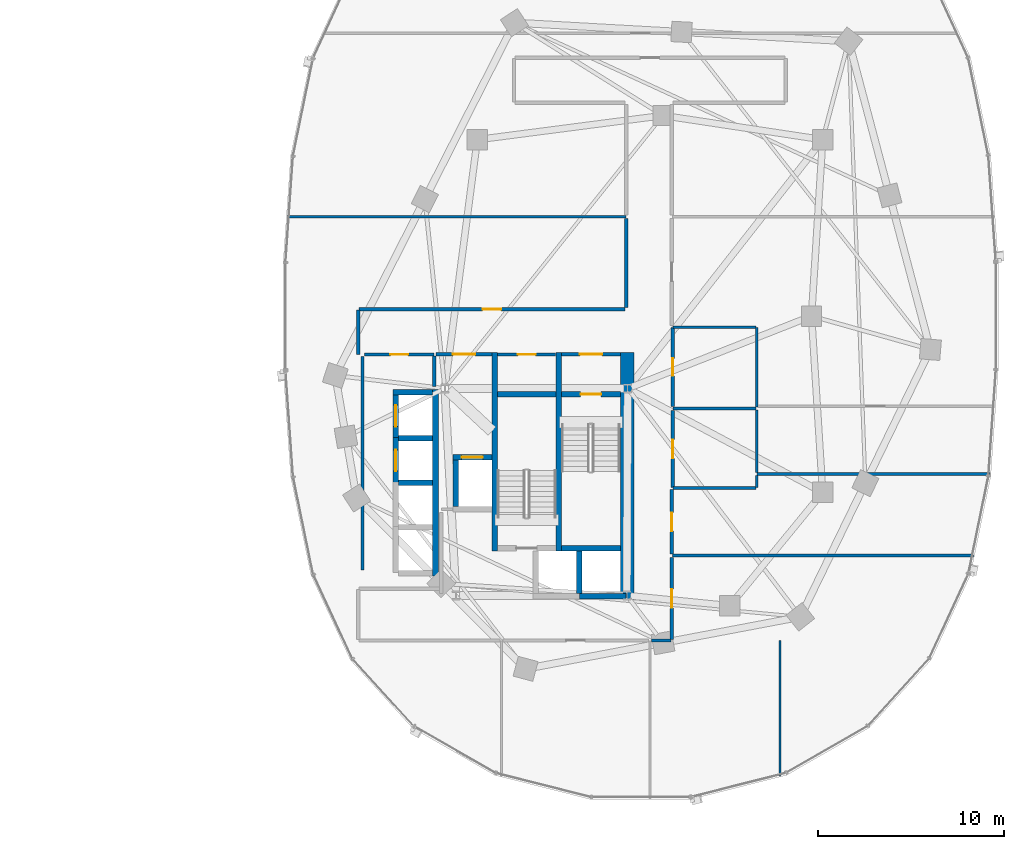
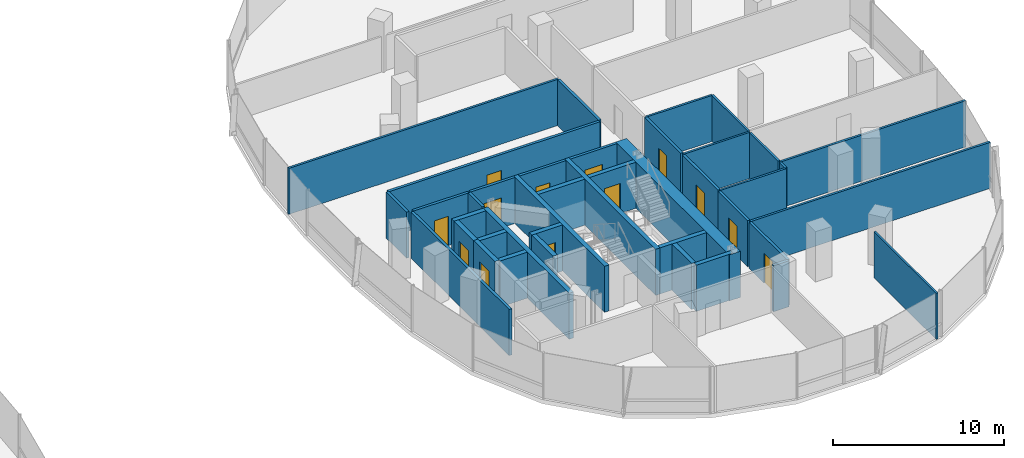
# One storey, part 13 of 21: 40 walls, 13 doors, 13 openings.
"""IFC4 building model written with IfcOpenShell, lengths in metres."""

from ifc_helpers import new_model, si_unit, direction, frame, frame_2d, origin, place, context, subcontext, project, spatial, rectangle, extrude, material, layer, layer_set, type_object, element, fill, save


model = new_model("IFC4")

# Units and contexts
model_context = context("Model", 3, precision=1e-05, world=origin(), true_north=direction((0.0, 1.0)))
body_context = subcontext(model_context, "Body", "Model", "MODEL_VIEW")
ifc_project = project(units=[si_unit("LENGTHUNIT", "METRE"), si_unit("AREAUNIT", "SQUARE_METRE"), si_unit("VOLUMEUNIT", "CUBIC_METRE"), si_unit("PLANEANGLEUNIT", "RADIAN"), si_unit("MASSUNIT", "GRAM", prefix="KILO"), si_unit("THERMODYNAMICTEMPERATUREUNIT", "KELVIN"), si_unit("POWERUNIT", "WATT")], contexts=[model_context])

# Site, building, storey
site_placement = place(None, origin())
site = spatial("IfcSite", under=ifc_project, at=site_placement, CompositionType="ELEMENT")
building_placement = place(site_placement, origin())
building = spatial("IfcBuilding", under=site, at=building_placement, Name="Cundina Bronze Exchange", CompositionType="ELEMENT")
storey_placement = place(building_placement, frame((0.0, 0.0, 117.800048828125)))
storey = spatial("IfcBuildingStorey", under=building, at=storey_placement, Name="L30", CompositionType="ELEMENT", Elevation=117.800048828125)

# Wall
ifc_material_1 = material(Name="Gypsum Fireboard Partition EI120")
ifc_layer_1 = layer(ifc_material_1, 0.179931640625, Name="Gypsum Fireboard Partition EI120")
ifc_layer_set_1 = layer_set([ifc_layer_1], Name="Gypsum Fireboard Partition EI120")
wall_type_1 = type_object("IfcWallType", Name="WL-COR-180", PredefinedType="PARTITIONING", material=ifc_layer_set_1)
wall_1_placement = place(storey_placement, frame((20.889892578125, -3.800048828125, 0.0), z_axis=(0.0, 0.0, 1.0), x_axis=(0.0, 1.0, 0.0)))
element("IfcWall", 1, at=wall_1_placement, inside=storey, type_object=wall_type_1, Name="L30 E Firefighting Lobby Side Wall", PredefinedType="PARTITIONING", context=body_context, shape_type="SweptSolid", body=[
    extrude(rectangle(XDim=1.650146484375, YDim=0.179931640625, at=frame_2d((0.8251953125, 0.0))), origin(), (0.0, 0.0, 1.0), 3.300048828125),
])

# Wall, opening, door
wall_2_placement = place(storey_placement, frame((20.97998046875, -2.06005859375, 0.0), z_axis=(0.0, 0.0, 1.0), x_axis=(1.0, 0.0, 0.0)))
wall_2 = element("IfcWall", 2, at=wall_2_placement, inside=storey, type_object=wall_type_1, Name="L30 E Firefighting Lobby Exit Wall", PredefinedType="PARTITIONING", context=body_context, shape_type="SweptSolid", body=[
    extrude(rectangle(XDim=3.0, YDim=0.179931640625, at=frame_2d((1.5, 0.0))), origin(), (0.0, 0.0, 1.0), 3.300048828125),
])
opening_1_placement = place(wall_2_placement, frame((0.89990234375, 0.0, 0.0)))
opening_1 = element("IfcOpeningElement", 3, at=opening_1_placement, cuts=wall_2, Name="Opening DF-01", PredefinedType="OPENING", context=body_context, shape_type="SweptSolid", body=[
    extrude(rectangle(XDim=1.199951171875, YDim=2.14990234375, at=frame_2d((0.60009765625, 1.074951171875))), frame((0.0, 0.099853515625, 0.0), z_axis=(0.0, -1.0, 0.0), x_axis=(1.0, 0.0, 0.0)), (0.0, 0.0, 1.0), 0.199951171875),
])
ifc_material_2 = material(Name="Steel ASTM A36 Painted", Category="steel")
door_type_1 = type_object("IfcDoorType", Name="DR-FFL-1200", OperationType="NOTDEFINED", PredefinedType="DOOR", material=ifc_material_2)
door_1_placement = place(opening_1_placement, origin())
door_1 = element("IfcDoor", 4, at=door_1_placement, inside=storey, type_object=door_type_1, Name="L30 E Firefighting Lobby Door", OperationType="SINGLE_SWING_LEFT", OverallHeight=2.14990234375, OverallWidth=1.199951171875, PredefinedType="DOOR", context=body_context, shape_type="SweptSolid", body=[
    extrude(rectangle(XDim=1.199951171875, YDim=2.14990234375, at=frame_2d((0.60009765625, 1.074951171875))), frame((0.0, 0.02490234375, 0.0), z_axis=(0.0, -1.0, 0.0), x_axis=(1.0, 0.0, 0.0)), (0.0, 0.0, 1.0), 0.050048828125),
])
fill(opening_1, door_1)

wall_3_placement = place(storey_placement, frame((27.739990234375, -2.06005859375, 0.0), z_axis=(0.0, 0.0, 1.0), x_axis=(1.0, 0.0, 0.0)))
wall_3 = element("IfcWall", 5, at=wall_3_placement, inside=storey, type_object=wall_type_1, Name="L30 E Stair Vestibule Exit Wall", PredefinedType="PARTITIONING", context=body_context, shape_type="SweptSolid", body=[
    extrude(rectangle(XDim=3.159912109375, YDim=0.179931640625, at=frame_2d((1.580078125, 0.0))), origin(), (0.0, 0.0, 1.0), 3.300048828125),
])
opening_2_placement = place(wall_3_placement, frame((0.97998046875, 0.0, 0.0)))
opening_2 = element("IfcOpeningElement", 6, at=opening_2_placement, cuts=wall_3, Name="Opening DF-01", PredefinedType="OPENING", context=body_context, shape_type="SweptSolid", body=[
    extrude(rectangle(XDim=1.199951171875, YDim=2.14990234375, at=frame_2d((0.60009765625, 1.074951171875))), frame((0.0, 0.099853515625, 0.0), z_axis=(0.0, -1.0, 0.0), x_axis=(1.0, 0.0, 0.0)), (0.0, 0.0, 1.0), 0.199951171875),
])
door_2_placement = place(opening_2_placement, origin())
door_2 = element("IfcDoor", 7, at=door_2_placement, inside=storey, type_object=door_type_1, Name="L30 E Stair Vestibule Door", OperationType="SINGLE_SWING_RIGHT", OverallHeight=2.14990234375, OverallWidth=1.199951171875, PredefinedType="DOOR", context=body_context, shape_type="SweptSolid", body=[
    extrude(rectangle(XDim=1.199951171875, YDim=2.14990234375, at=frame_2d((0.60009765625, 1.074951171875))), frame((0.0, 0.02490234375, 0.0), z_axis=(0.0, -1.0, 0.0), x_axis=(1.0, 0.0, 0.0)), (0.0, 0.0, 1.0), 0.050048828125),
])
fill(opening_2, door_2)

# Wall
wall_4_placement = place(storey_placement, frame((17.02001953125, -13.679931640625, 0.0), z_axis=(0.0, 0.0, 1.0), x_axis=(0.0, 1.0, 0.0)))
element("IfcWall", 8, at=wall_4_placement, inside=storey, type_object=wall_type_1, Name="L30 Interior Partition 040", PredefinedType="PARTITIONING", context=body_context, shape_type="SweptSolid", body=[
    extrude(rectangle(XDim=11.510009765625, YDim=0.179931640625, at=frame_2d((5.7548828125, 0.0))), origin(), (0.0, 0.0, 1.0), 3.300048828125),
])

# Wall, opening, door
wall_5_placement = place(storey_placement, frame((17.1201171875, -2.070068359375, 0.0), z_axis=(0.0, 0.0, 1.0), x_axis=(1.0, 0.0, 0.0)))
wall_5 = element("IfcWall", 9, at=wall_5_placement, inside=storey, type_object=wall_type_1, Name="L30 Interior Partition 041", PredefinedType="PARTITIONING", context=body_context, shape_type="SweptSolid", body=[
    extrude(rectangle(XDim=3.75, YDim=0.179931640625, at=frame_2d((1.875, 0.0))), origin(), (0.0, 0.0, 1.0), 3.300048828125),
])
opening_3_placement = place(wall_5_placement, frame((1.39990234375, 0.0, 0.0)))
opening_3 = element("IfcOpeningElement", 10, at=opening_3_placement, cuts=wall_5, Name="Opening DW-01", PredefinedType="OPENING", context=body_context, shape_type="SweptSolid", body=[
    extrude(rectangle(XDim=0.949951171875, YDim=2.10009765625, at=frame_2d((0.47509765625, 1.050048828125))), frame((0.0, 0.099853515625, 0.0), z_axis=(0.0, -1.0, 0.0), x_axis=(1.0, 0.0, 0.0)), (0.0, 0.0, 1.0), 0.199951171875),
])
ifc_material_3 = material(Name="Solid Andean Oak Timber Grade A", Category="wood")
door_type_2 = type_object("IfcDoorType", Name="DR-WC-950", OperationType="NOTDEFINED", PredefinedType="DOOR", material=ifc_material_3)
door_3_placement = place(opening_3_placement, origin())
door_3 = element("IfcDoor", 11, at=door_3_placement, inside=storey, type_object=door_type_2, Name="L30 Interior Door 041", OperationType="SINGLE_SWING_LEFT", OverallHeight=2.10009765625, OverallWidth=0.949951171875, PredefinedType="DOOR", context=body_context, shape_type="SweptSolid", body=[
    extrude(rectangle(XDim=0.949951171875, YDim=2.10009765625, at=frame_2d((0.47509765625, 1.050048828125))), frame((0.0, 0.02490234375, 0.0), z_axis=(0.0, -1.0, 0.0), x_axis=(1.0, 0.0, 0.0)), (0.0, 0.0, 1.0), 0.050048828125),
])
fill(opening_3, door_3)

wall_6_placement = place(storey_placement, frame((24.300048828125, -2.070068359375, 0.0), z_axis=(0.0, 0.0, 1.0), x_axis=(1.0, 0.0, 0.0)))
wall_6 = element("IfcWall", 12, at=wall_6_placement, inside=storey, type_object=wall_type_1, Name="L30 Interior Partition 044", PredefinedType="PARTITIONING", context=body_context, shape_type="SweptSolid", body=[
    extrude(rectangle(XDim=3.119873046875, YDim=0.179931640625, at=frame_2d((1.56005859375, 0.0))), origin(), (0.0, 0.0, 1.0), 3.300048828125),
])
opening_4_placement = place(wall_6_placement, frame((1.0849609375, 0.0, 0.0)))
opening_4 = element("IfcOpeningElement", 13, at=opening_4_placement, cuts=wall_6, Name="Opening DW-01", PredefinedType="OPENING", context=body_context, shape_type="SweptSolid", body=[
    extrude(rectangle(XDim=0.949951171875, YDim=2.10009765625, at=frame_2d((0.47509765625, 1.050048828125))), frame((0.0, 0.099853515625, 0.0), z_axis=(0.0, -1.0, 0.0), x_axis=(1.0, 0.0, 0.0)), (0.0, 0.0, 1.0), 0.199951171875),
])
door_4_placement = place(opening_4_placement, origin())
door_4 = element("IfcDoor", 14, at=door_4_placement, inside=storey, type_object=door_type_2, Name="L30 Interior Door 044", OperationType="SINGLE_SWING_RIGHT", OverallHeight=2.10009765625, OverallWidth=0.949951171875, PredefinedType="DOOR", context=body_context, shape_type="SweptSolid", body=[
    extrude(rectangle(XDim=0.949951171875, YDim=2.10009765625, at=frame_2d((0.47509765625, 1.050048828125))), frame((0.0, 0.02490234375, 0.0), z_axis=(0.0, -1.0, 0.0), x_axis=(1.0, 0.0, 0.0)), (0.0, 0.0, 1.0), 0.050048828125),
])
fill(opening_4, door_4)

wall_7_placement = place(storey_placement, frame((33.719970703125, -4.8798828125, 0.0), z_axis=(0.0, 0.0, 1.0), x_axis=(0.0, 1.0, 0.0)))
wall_7 = element("IfcWall", 15, at=wall_7_placement, inside=storey, type_object=wall_type_1, Name="L30 Interior Partition 051", PredefinedType="PARTITIONING", context=body_context, shape_type="SweptSolid", body=[
    extrude(rectangle(XDim=4.259765625, YDim=0.179931640625, at=frame_2d((2.1298828125, 0.0))), origin(), (0.0, 0.0, 1.0), 3.300048828125),
])
opening_5_placement = place(wall_7_placement, frame((1.655029296875, 0.0, 0.0)))
opening_5 = element("IfcOpeningElement", 16, at=opening_5_placement, cuts=wall_7, Name="Opening DW-01", PredefinedType="OPENING", context=body_context, shape_type="SweptSolid", body=[
    extrude(rectangle(XDim=0.949951171875, YDim=2.10009765625, at=frame_2d((0.47509765625, 1.050048828125))), frame((0.0, 0.099853515625, 0.0), z_axis=(0.0, -1.0, 0.0), x_axis=(1.0, 0.0, 0.0)), (0.0, 0.0, 1.0), 0.199951171875),
])
door_5_placement = place(opening_5_placement, origin())
door_5 = element("IfcDoor", 17, at=door_5_placement, inside=storey, type_object=door_type_2, Name="L30 Interior Door 051", OperationType="SINGLE_SWING_LEFT", OverallHeight=2.10009765625, OverallWidth=0.949951171875, PredefinedType="DOOR", context=body_context, shape_type="SweptSolid", body=[
    extrude(rectangle(XDim=0.949951171875, YDim=2.10009765625, at=frame_2d((0.47509765625, 1.050048828125))), frame((0.0, 0.02490234375, 0.0), z_axis=(0.0, -1.0, 0.0), x_axis=(1.0, 0.0, 0.0)), (0.0, 0.0, 1.0), 0.050048828125),
])
fill(opening_5, door_5)

wall_8_placement = place(storey_placement, frame((33.719970703125, -9.239990234375, 0.0), z_axis=(0.0, 0.0, 1.0), x_axis=(0.0, 1.0, 0.0)))
wall_8 = element("IfcWall", 18, at=wall_8_placement, inside=storey, type_object=wall_type_1, Name="L30 Interior Partition 052", PredefinedType="PARTITIONING", context=body_context, shape_type="SweptSolid", body=[
    extrude(rectangle(XDim=4.159912109375, YDim=0.179931640625, at=frame_2d((2.080078125, 0.0))), origin(), (0.0, 0.0, 1.0), 3.300048828125),
])
opening_6_placement = place(wall_8_placement, frame((1.580078125, 0.0, 0.0)))
opening_6 = element("IfcOpeningElement", 19, at=opening_6_placement, cuts=wall_8, Name="Opening DO-01", PredefinedType="OPENING", context=body_context, shape_type="SweptSolid", body=[
    extrude(rectangle(XDim=1.0, YDim=2.14990234375, at=frame_2d((0.5, 1.074951171875))), frame((0.0, 0.099853515625, 0.0), z_axis=(0.0, -1.0, 0.0), x_axis=(1.0, 0.0, 0.0)), (0.0, 0.0, 1.0), 0.199951171875),
])
door_type_3 = type_object("IfcDoorType", Name="DR-OFF-1000", OperationType="NOTDEFINED", PredefinedType="DOOR", material=ifc_material_3)
door_6_placement = place(opening_6_placement, origin())
door_6 = element("IfcDoor", 20, at=door_6_placement, inside=storey, type_object=door_type_3, Name="L30 Interior Door 052", OperationType="SINGLE_SWING_LEFT", OverallHeight=2.14990234375, OverallWidth=1.0, PredefinedType="DOOR", context=body_context, shape_type="SweptSolid", body=[
    extrude(rectangle(XDim=1.0, YDim=2.14990234375, at=frame_2d((0.5, 1.074951171875))), frame((0.0, 0.02490234375, 0.0), z_axis=(0.0, -1.0, 0.0), x_axis=(1.0, 0.0, 0.0)), (0.0, 0.0, 1.0), 0.050048828125),
])
fill(opening_6, door_6)

wall_9_placement = place(storey_placement, frame((33.669921875, -17.428466796875, 0.0), z_axis=(0.0, 0.0, 1.0), x_axis=(0.0, 1.0, 0.0)))
wall_9 = element("IfcWall", 21, at=wall_9_placement, inside=storey, type_object=wall_type_1, Name="L30 Interior Partition 061", PredefinedType="PARTITIONING", context=body_context, shape_type="SweptSolid", body=[
    extrude(rectangle(XDim=4.4384765625, YDim=0.179931640625, at=frame_2d((2.21923828125, 0.0))), origin(), (0.0, 0.0, 1.0), 3.300048828125),
])
opening_7_placement = place(wall_9_placement, frame((1.71923828125, 0.0, 0.0)))
opening_7 = element("IfcOpeningElement", 22, at=opening_7_placement, cuts=wall_9, Name="Opening DO-01", PredefinedType="OPENING", context=body_context, shape_type="SweptSolid", body=[
    extrude(rectangle(XDim=1.0, YDim=2.14990234375, at=frame_2d((0.5, 1.074951171875))), frame((0.0, 0.099853515625, 0.0), z_axis=(0.0, -1.0, 0.0), x_axis=(1.0, 0.0, 0.0)), (0.0, 0.0, 1.0), 0.199951171875),
])
door_7_placement = place(opening_7_placement, origin())
door_7 = element("IfcDoor", 23, at=door_7_placement, inside=storey, type_object=door_type_3, Name="L30 Interior Door 061", OperationType="SINGLE_SWING_LEFT", OverallHeight=2.14990234375, OverallWidth=1.0, PredefinedType="DOOR", context=body_context, shape_type="SweptSolid", body=[
    extrude(rectangle(XDim=1.0, YDim=2.14990234375, at=frame_2d((0.5, 1.074951171875))), frame((0.0, 0.02490234375, 0.0), z_axis=(0.0, -1.0, 0.0), x_axis=(1.0, 0.0, 0.0)), (0.0, 0.0, 1.0), 0.050048828125),
])
fill(opening_7, door_7)

# Wall
wall_10_placement = place(storey_placement, frame((32.590087890625, -17.469970703125, 0.0), z_axis=(0.0, 0.0, 1.0), x_axis=(1.0, 0.0, 0.0)))
element("IfcWall", 24, at=wall_10_placement, inside=storey, type_object=wall_type_1, Name="L30 Interior Partition 062", PredefinedType="PARTITIONING", context=body_context, shape_type="SweptSolid", body=[
    extrude(rectangle(XDim=1.038330078125, YDim=0.179931640625, at=frame_2d((0.51904296875, 0.0))), origin(), (0.0, 0.0, 1.0), 3.300048828125),
])

# Wall, opening, door
wall_11_placement = place(storey_placement, frame((33.669921875, -12.81005859375, 0.0), z_axis=(0.0, 0.0, 1.0), x_axis=(0.0, 1.0, 0.0)))
wall_11 = element("IfcWall", 25, at=wall_11_placement, inside=storey, type_object=wall_type_1, Name="L30 Interior Partition 063", PredefinedType="PARTITIONING", context=body_context, shape_type="SweptSolid", body=[
    extrude(rectangle(XDim=3.458740234375, YDim=0.179931640625, at=frame_2d((1.7294921875, 0.0))), origin(), (0.0, 0.0, 1.0), 3.300048828125),
])
opening_8_placement = place(wall_11_placement, frame((1.229248046875, 0.0, 0.0)))
opening_8 = element("IfcOpeningElement", 26, at=opening_8_placement, cuts=wall_11, Name="Opening DO-01", PredefinedType="OPENING", context=body_context, shape_type="SweptSolid", body=[
    extrude(rectangle(XDim=1.0, YDim=2.14990234375, at=frame_2d((0.5, 1.074951171875))), frame((0.0, 0.099853515625, 0.0), z_axis=(0.0, -1.0, 0.0), x_axis=(1.0, 0.0, 0.0)), (0.0, 0.0, 1.0), 0.199951171875),
])
door_8_placement = place(opening_8_placement, origin())
door_8 = element("IfcDoor", 27, at=door_8_placement, inside=storey, type_object=door_type_3, Name="L30 Interior Door 063", OperationType="SINGLE_SWING_RIGHT", OverallHeight=2.14990234375, OverallWidth=1.0, PredefinedType="DOOR", context=body_context, shape_type="SweptSolid", body=[
    extrude(rectangle(XDim=1.0, YDim=2.14990234375, at=frame_2d((0.5, 1.074951171875))), frame((0.0, 0.02490234375, 0.0), z_axis=(0.0, -1.0, 0.0), x_axis=(1.0, 0.0, 0.0)), (0.0, 0.0, 1.0), 0.050048828125),
])
fill(opening_8, door_8)

wall_12_placement = place(storey_placement, frame((31.14990234375, 0.3701171875, 0.0), z_axis=(0.0, 0.0, 1.0), x_axis=(-1.0, 0.0, 0.0)))
wall_12 = element("IfcWall", 28, at=wall_12_placement, inside=storey, type_object=wall_type_1, Name="L30 Interior Partition 064", PredefinedType="PARTITIONING", context=body_context, shape_type="SweptSolid", body=[
    extrude(rectangle(XDim=14.328369140625, YDim=0.179931640625, at=frame_2d((7.1640625, 0.0))), origin(), (0.0, 0.0, 1.0), 3.300048828125),
])
opening_9_placement = place(wall_12_placement, frame((6.664306640625, 0.0, 0.0)))
opening_9 = element("IfcOpeningElement", 29, at=opening_9_placement, cuts=wall_12, Name="Opening DO-01", PredefinedType="OPENING", context=body_context, shape_type="SweptSolid", body=[
    extrude(rectangle(XDim=1.0, YDim=2.14990234375, at=frame_2d((0.5, 1.074951171875))), frame((0.0, 0.099853515625, 0.0), z_axis=(0.0, -1.0, 0.0), x_axis=(1.0, 0.0, 0.0)), (0.0, 0.0, 1.0), 0.199951171875),
])
door_9_placement = place(opening_9_placement, origin())
door_9 = element("IfcDoor", 30, at=door_9_placement, inside=storey, type_object=door_type_3, Name="L30 Interior Door 064", OperationType="SINGLE_SWING_RIGHT", OverallHeight=2.14990234375, OverallWidth=1.0, PredefinedType="DOOR", context=body_context, shape_type="SweptSolid", body=[
    extrude(rectangle(XDim=1.0, YDim=2.14990234375, at=frame_2d((0.5, 1.074951171875))), frame((0.0, 0.02490234375, 0.0), z_axis=(0.0, -1.0, 0.0), x_axis=(1.0, 0.0, 0.0)), (0.0, 0.0, 1.0), 0.050048828125),
])
fill(opening_9, door_9)

# Walls
wall_13_placement = place(storey_placement, frame((31.22998046875, 5.260009765625, 0.0), z_axis=(0.0, 0.0, 1.0), x_axis=(0.0, -1.0, 0.0)))
element("IfcWall", 31, at=wall_13_placement, inside=storey, type_object=wall_type_1, Name="L30 Interior Partition 066", PredefinedType="PARTITIONING", context=body_context, shape_type="SweptSolid", body=[
    extrude(rectangle(XDim=4.81005859375, YDim=0.179931640625, at=frame_2d((2.405029296875, 0.0))), origin(), (0.0, 0.0, 1.0), 3.300048828125),
])
wall_14_placement = place(storey_placement, frame((16.780029296875, 0.32861328125, 0.0), z_axis=(0.0, 0.0, 1.0), x_axis=(0.0, -1.0, 0.0)))
element("IfcWall", 32, at=wall_14_placement, inside=storey, type_object=wall_type_1, Name="L30 Interior Partition 069", PredefinedType="PARTITIONING", context=body_context, shape_type="SweptSolid", body=[
    extrude(rectangle(XDim=2.38720703125, YDim=0.179931640625, at=frame_2d((1.193603515625, 0.0))), origin(), (0.0, 0.0, 1.0), 3.300048828125),
])
ifc_material_4 = material(Name="Concrete C60/75", Category="concrete")
ifc_layer_2 = layer(ifc_material_4, 0.75, Name="Concrete C60/75", Category="concrete")
ifc_layer_set_2 = layer_set([ifc_layer_2], Name="Concrete C60/75")
wall_type_2 = type_object("IfcWallType", Name="WL-CORE-750", PredefinedType="SHEAR", material=ifc_layer_set_2)
wall_15_placement = place(storey_placement, frame((31.27490234375, -15.300048828125, 0.0), z_axis=(0.0, 0.0, 1.0), x_axis=(0.0, 1.0, 0.0)))
element("IfcWall", 33, at=wall_15_placement, inside=storey, type_object=wall_type_2, Name="L30 E Primary Core Shear Spine Wall", PredefinedType="SHEAR", context=body_context, shape_type="SweptSolid", body=[
    extrude(rectangle(XDim=13.330078125, YDim=0.75, at=frame_2d((6.6650390625, 0.0))), origin(), (0.0, 0.0, 1.0), 3.300048828125),
])
ifc_material_5 = material(Name="Gypsum Acoustic Partition EI60")
ifc_layer_3 = layer(ifc_material_5, 0.125, Name="Gypsum Acoustic Partition EI60")
ifc_layer_set_3 = layer_set([ifc_layer_3], Name="Gypsum Acoustic Partition EI60")
wall_type_3 = type_object("IfcWallType", Name="WL-OFF-125", PredefinedType="PARTITIONING", material=ifc_layer_set_3)
wall_16_placement = place(storey_placement, frame((39.5, -24.772216796875, 0.0), z_axis=(0.0, 0.0, 1.0), x_axis=(0.0, 1.0, 0.0)))
element("IfcWall", 34, at=wall_16_placement, inside=storey, type_object=wall_type_3, Name="L30 Interior Partition 059", PredefinedType="PARTITIONING", context=body_context, shape_type="SweptSolid", body=[
    extrude(rectangle(XDim=7.30224609375, YDim=0.125, at=frame_2d((3.651123046875, 0.0))), origin(), (0.0, 0.0, 1.0), 3.300048828125),
])
ifc_material_6 = material(Name="Concrete C50/60", Category="concrete")
ifc_layer_4 = layer(ifc_material_6, 0.300048828125, Name="Concrete C50/60", Category="concrete")
ifc_layer_set_4 = layer_set([ifc_layer_4], Name="Concrete C50/60")
wall_type_4 = type_object("IfcWallType", Name="WL-SHFT-300", PredefinedType="SHEAR", material=ifc_layer_set_4)
for number, where, z_axis, x_axis, name in (
    (35, (27.590087890625, -12.64990234375, 0.0), (0.0, 0.0, 1.0), (0.0, 1.0, 0.0), "L30 E Stair Shaft Dividing Shear Wall"),
    (36, (24.1298828125, -12.64990234375, 0.0), (0.0, 0.0, 1.0), (0.0, 1.0, 0.0), "L30 E Stair 2 East Shear Wall"),
):
    element("IfcWall", number, at=place(storey_placement, frame(where, z_axis=z_axis, x_axis=x_axis)), inside=storey, type_object=wall_type_4, Name=name, PredefinedType="SHEAR", context=body_context, shape_type="SweptSolid", body=[
        extrude(rectangle(XDim=10.679931640625, YDim=0.300048828125, at=frame_2d((5.33984375, 0.0))), origin(), (0.0, 0.0, 1.0), 3.300048828125),
    ])

# Wall, opening, door
wall_17_placement = place(storey_placement, frame((27.739990234375, -4.199951171875, 0.0), z_axis=(0.0, 0.0, 1.0), x_axis=(1.0, 0.0, 0.0)))
wall_17 = element("IfcWall", 37, at=wall_17_placement, inside=storey, type_object=wall_type_4, Name="L30 Stair E1 Landing Wall", PredefinedType="SHEAR", context=body_context, shape_type="SweptSolid", body=[
    extrude(rectangle(XDim=3.159912109375, YDim=0.300048828125, at=frame_2d((1.580078125, 0.0))), origin(), (0.0, 0.0, 1.0), 3.300048828125),
])
opening_10_placement = place(wall_17_placement, frame((1.030029296875, 0.0, 0.0)))
opening_10 = element("IfcOpeningElement", 38, at=opening_10_placement, cuts=wall_17, Name="Opening DS-01", PredefinedType="OPENING", context=body_context, shape_type="SweptSolid", body=[
    extrude(rectangle(XDim=1.10009765625, YDim=2.14990234375, at=frame_2d((0.550048828125, 1.074951171875))), frame((0.0, 0.159912109375, 0.0), z_axis=(0.0, -1.0, 0.0), x_axis=(1.0, 0.0, 0.0)), (0.0, 0.0, 1.0), 0.320068359375),
])
door_type_4 = type_object("IfcDoorType", Name="DR-STR-1100", OperationType="NOTDEFINED", PredefinedType="DOOR", material=ifc_material_2)
door_10_placement = place(opening_10_placement, origin())
door_10 = element("IfcDoor", 39, at=door_10_placement, inside=storey, type_object=door_type_4, Name="L30 Smokeproof Stair E1 Door", OperationType="SINGLE_SWING_LEFT", OverallHeight=2.14990234375, OverallWidth=1.10009765625, PredefinedType="DOOR", context=body_context, shape_type="SweptSolid", body=[
    extrude(rectangle(XDim=1.10009765625, YDim=2.14990234375, at=frame_2d((0.550048828125, 1.074951171875))), frame((0.0, 0.02490234375, 0.0), z_axis=(0.0, -1.0, 0.0), x_axis=(1.0, 0.0, 0.0)), (0.0, 0.0, 1.0), 0.050048828125),
])
fill(opening_10, door_10)

# Walls
for number, where, z_axis, x_axis, name in (
    (40, (27.739990234375, -12.5, 0.0), (0.0, 0.0, 1.0), (1.0, 0.0, 0.0), "L30 Stair E1 Far Shaft Wall"),
    (41, (24.280029296875, -4.199951171875, 0.0), (0.0, 0.0, 1.0), (1.0, 0.0, 0.0), "L30 Stair E2 Far Shaft Wall"),
):
    element("IfcWall", number, at=place(storey_placement, frame(where, z_axis=z_axis, x_axis=x_axis)), inside=storey, type_object=wall_type_4, Name=name, PredefinedType="SHEAR", context=body_context, shape_type="SweptSolid", body=[
        extrude(rectangle(XDim=3.159912109375, YDim=0.300048828125, at=frame_2d((1.580078125, 0.0))), origin(), (0.0, 0.0, 1.0), 3.300048828125),
    ])

# Wall, opening, door
wall_18_placement = place(storey_placement, frame((21.8798828125, -7.60009765625, 0.0), z_axis=(0.0, 0.0, 1.0), x_axis=(1.0, 0.0, 0.0)))
wall_18 = element("IfcWall", 42, at=wall_18_placement, inside=storey, type_object=wall_type_4, Name="L30 FFL-E Hoistway Front Wall", PredefinedType="SHEAR", context=body_context, shape_type="SweptSolid", body=[
    extrude(rectangle(XDim=2.10009765625, YDim=0.300048828125, at=frame_2d((1.050048828125, 0.0))), origin(), (0.0, 0.0, 1.0), 3.300048828125),
])
opening_11_placement = place(wall_18_placement, frame((0.47509765625, 0.0, 0.0)))
opening_11 = element("IfcOpeningElement", 43, at=opening_11_placement, cuts=wall_18, Name="Opening LD-01", PredefinedType="OPENING", context=body_context, shape_type="SweptSolid", body=[
    extrude(rectangle(XDim=1.14990234375, YDim=2.199951171875, at=frame_2d((0.574951171875, 1.10009765625))), frame((0.0, 0.159912109375, 0.0), z_axis=(0.0, -1.0, 0.0), x_axis=(1.0, 0.0, 0.0)), (0.0, 0.0, 1.0), 0.320068359375),
])
door_type_5 = type_object("IfcDoorType", Name="DR-LND-1150", OperationType="NOTDEFINED", PredefinedType="TRAPDOOR", material=ifc_material_2)
door_11_placement = place(opening_11_placement, origin())
door_11 = element("IfcDoor", 44, at=door_11_placement, inside=storey, type_object=door_type_5, Name="L30 FFL-E Sliding Landing Door", OperationType="SLIDING_TO_LEFT", OverallHeight=2.199951171875, OverallWidth=1.14990234375, PredefinedType="TRAPDOOR", context=body_context, shape_type="SweptSolid", body=[
    extrude(rectangle(XDim=1.14990234375, YDim=2.199951171875, at=frame_2d((0.574951171875, 1.10009765625))), frame((0.0, 0.02490234375, 0.0), z_axis=(0.0, -1.0, 0.0), x_axis=(1.0, 0.0, 0.0)), (0.0, 0.0, 1.0), 0.050048828125),
])
fill(opening_11, door_11)

# Walls
for number, where, z_axis, x_axis, name in (
    (45, (22.030029296875, -10.25, 0.0), (0.0, 0.0, 1.0), (0.0, 1.0, 0.0), "L30 FFL-E Hoistway Side Wall"),
    (46, (28.699951171875, -15.10009765625, 0.0), (0.0, 0.0, 1.0), (1.0, 0.0, 0.0), "L30 PH-E1 Hoistway Front Wall"),
):
    element("IfcWall", number, at=place(storey_placement, frame(where, z_axis=z_axis, x_axis=x_axis)), inside=storey, type_object=wall_type_4, Name=name, PredefinedType="SHEAR", context=body_context, shape_type="SweptSolid", body=[
        extrude(rectangle(XDim=2.5, YDim=0.300048828125, at=frame_2d((1.25, 0.0))), origin(), (0.0, 0.0, 1.0), 3.300048828125),
    ])
wall_19_placement = place(storey_placement, frame((28.699951171875, -14.949951171875, 0.0), z_axis=(0.0, 0.0, 1.0), x_axis=(0.0, 1.0, 0.0)))
element("IfcWall", 47, at=wall_19_placement, inside=storey, type_object=wall_type_4, Name="L30 PH-E1 Hoistway Divider Wall", PredefinedType="SHEAR", context=body_context, shape_type="SweptSolid", body=[
    extrude(rectangle(XDim=2.300048828125, YDim=0.300048828125, at=frame_2d((1.14990234375, 0.0))), origin(), (0.0, 0.0, 1.0), 3.300048828125),
])
wall_20_placement = place(storey_placement, frame((20.949951171875, -14.0, 0.0), z_axis=(0.0, 0.0, 1.0), x_axis=(0.0, 1.0, 0.0)))
element("IfcWall", 48, at=wall_20_placement, inside=storey, type_object=wall_type_4, Name="L30 E Passenger Bank Hoistway Back Wall", PredefinedType="SHEAR", context=body_context, shape_type="SweptSolid", body=[
    extrude(rectangle(XDim=10.050048828125, YDim=0.300048828125, at=frame_2d((5.02490234375, 0.0))), origin(), (0.0, 0.0, 1.0), 3.300048828125),
])
wall_21_placement = place(storey_placement, frame((18.64990234375, -4.10009765625, 0.0), z_axis=(0.0, 0.0, 1.0), x_axis=(1.0, 0.0, 0.0)))
element("IfcWall", 49, at=wall_21_placement, inside=storey, type_object=wall_type_4, Name="L30 E Passenger Bank North Cap Wall", PredefinedType="SHEAR", context=body_context, shape_type="SweptSolid", body=[
    extrude(rectangle(XDim=2.150146484375, YDim=0.300048828125, at=frame_2d((1.0751953125, 0.0))), origin(), (0.0, 0.0, 1.0), 3.300048828125),
])
for number, where, z_axis, x_axis, name in (
    (50, (18.949951171875, -8.97509765625, 0.0), (0.0, 0.0, 1.0), (1.0, 0.0, 0.0), "L30 E Passenger Hoistway Divider 2"),
    (51, (18.949951171875, -6.574951171875, 0.0), (0.0, 0.0, 1.0), (1.0, 0.0, 0.0), "L30 E Passenger Hoistway Divider 3"),
):
    element("IfcWall", number, at=place(storey_placement, frame(where, z_axis=z_axis, x_axis=x_axis)), inside=storey, type_object=wall_type_4, Name=name, PredefinedType="SHEAR", context=body_context, shape_type="SweptSolid", body=[
        extrude(rectangle(XDim=1.85009765625, YDim=0.300048828125, at=frame_2d((0.925048828125, 0.0))), origin(), (0.0, 0.0, 1.0), 3.300048828125),
    ])

# Wall, opening, door
wall_22_placement = place(storey_placement, frame((18.800048828125, -9.02001953125, 0.0), z_axis=(0.0, 0.0, 1.0), x_axis=(0.0, 1.0, 0.0)))
wall_22 = element("IfcWall", 52, at=wall_22_placement, inside=storey, type_object=wall_type_4, Name="L30 PL-E1 Hoistway Front Wall", PredefinedType="SHEAR", context=body_context, shape_type="SweptSolid", body=[
    extrude(rectangle(XDim=2.489990234375, YDim=0.300048828125, at=frame_2d((1.2451171875, 0.0))), origin(), (0.0, 0.0, 1.0), 3.300048828125),
])
opening_12_placement = place(wall_22_placement, frame((0.669921875, 0.0, 0.0)))
opening_12 = element("IfcOpeningElement", 53, at=opening_12_placement, cuts=wall_22, Name="Opening LD-01", PredefinedType="OPENING", context=body_context, shape_type="SweptSolid", body=[
    extrude(rectangle(XDim=1.14990234375, YDim=2.199951171875, at=frame_2d((0.574951171875, 1.10009765625))), frame((0.0, 0.159912109375, 0.0), z_axis=(0.0, -1.0, 0.0), x_axis=(1.0, 0.0, 0.0)), (0.0, 0.0, 1.0), 0.320068359375),
])
door_12_placement = place(opening_12_placement, origin())
door_12 = element("IfcDoor", 54, at=door_12_placement, inside=storey, type_object=door_type_5, Name="L30 PL-E1 Sliding Landing Door", OperationType="SLIDING_TO_LEFT", OverallHeight=2.199951171875, OverallWidth=1.14990234375, PredefinedType="TRAPDOOR", context=body_context, shape_type="SweptSolid", body=[
    extrude(rectangle(XDim=1.14990234375, YDim=2.199951171875, at=frame_2d((0.574951171875, 1.10009765625))), frame((0.0, 0.02490234375, 0.0), z_axis=(0.0, -1.0, 0.0), x_axis=(1.0, 0.0, 0.0)), (0.0, 0.0, 1.0), 0.050048828125),
])
fill(opening_12, door_12)

wall_23_placement = place(storey_placement, frame((18.800048828125, -6.6201171875, 0.0), z_axis=(0.0, 0.0, 1.0), x_axis=(0.0, 1.0, 0.0)))
wall_23 = element("IfcWall", 55, at=wall_23_placement, inside=storey, type_object=wall_type_4, Name="L30 PL-E2 Hoistway Front Wall", PredefinedType="SHEAR", context=body_context, shape_type="SweptSolid", body=[
    extrude(rectangle(XDim=2.490234375, YDim=0.300048828125, at=frame_2d((1.2451171875, 0.0))), origin(), (0.0, 0.0, 1.0), 3.300048828125),
])
opening_13_placement = place(wall_23_placement, frame((0.669921875, 0.0, 0.0)))
opening_13 = element("IfcOpeningElement", 56, at=opening_13_placement, cuts=wall_23, Name="Opening LD-01", PredefinedType="OPENING", context=body_context, shape_type="SweptSolid", body=[
    extrude(rectangle(XDim=1.14990234375, YDim=2.199951171875, at=frame_2d((0.574951171875, 1.10009765625))), frame((0.0, 0.159912109375, 0.0), z_axis=(0.0, -1.0, 0.0), x_axis=(1.0, 0.0, 0.0)), (0.0, 0.0, 1.0), 0.320068359375),
])
door_13_placement = place(opening_13_placement, origin())
door_13 = element("IfcDoor", 57, at=door_13_placement, inside=storey, type_object=door_type_5, Name="L30 PL-E2 Sliding Landing Door", OperationType="SLIDING_TO_LEFT", OverallHeight=2.199951171875, OverallWidth=1.14990234375, PredefinedType="TRAPDOOR", context=body_context, shape_type="SweptSolid", body=[
    extrude(rectangle(XDim=1.14990234375, YDim=2.199951171875, at=frame_2d((0.574951171875, 1.10009765625))), frame((0.0, 0.02490234375, 0.0), z_axis=(0.0, -1.0, 0.0), x_axis=(1.0, 0.0, 0.0)), (0.0, 0.0, 1.0), 0.050048828125),
])
fill(opening_13, door_13)

# Walls
ifc_layer_5 = layer(ifc_material_5, 0.14990234375, Name="Gypsum Acoustic Partition EI60")
ifc_layer_set_5 = layer_set([ifc_layer_5], Name="Gypsum Acoustic Partition EI60")
wall_type_5 = type_object("IfcWallType", Name="WL-TEN-150", PredefinedType="PARTITIONING", material=ifc_layer_set_5)
wall_24_placement = place(storey_placement, frame((12.96240234375, 5.35009765625, 0.0), z_axis=(0.0, 0.0, 1.0), x_axis=(1.0, 0.0, 0.0)))
element("IfcWall", 58, at=wall_24_placement, inside=storey, type_object=wall_type_5, Name="L30 Interior Partition 053", PredefinedType="PARTITIONING", context=body_context, shape_type="SweptSolid", body=[
    extrude(rectangle(XDim=18.237548828125, YDim=0.14990234375, at=frame_2d((9.11865234375, 0.0))), origin(), (0.0, 0.0, 1.0), 3.300048828125),
])
wall_25_placement = place(storey_placement, frame((38.27001953125, -8.5, 0.0), z_axis=(0.0, 0.0, 1.0), x_axis=(1.0, 0.0, 0.0)))
element("IfcWall", 59, at=wall_25_placement, inside=storey, type_object=wall_type_5, Name="L30 Interior Partition 055", PredefinedType="PARTITIONING", context=body_context, shape_type="SweptSolid", body=[
    extrude(rectangle(XDim=12.545654296875, YDim=0.14990234375, at=frame_2d((6.27294921875, 0.0))), origin(), (0.0, 0.0, 1.0), 3.300048828125),
])
wall_26_placement = place(storey_placement, frame((33.699951171875, -12.89990234375, 0.0), z_axis=(0.0, 0.0, 1.0), x_axis=(1.0, 0.0, 0.0)))
element("IfcWall", 60, at=wall_26_placement, inside=storey, type_object=wall_type_5, Name="L30 Interior Partition 056", PredefinedType="PARTITIONING", context=body_context, shape_type="SweptSolid", body=[
    extrude(rectangle(XDim=16.23095703125, YDim=0.14990234375, at=frame_2d((8.115478515625, 0.0))), origin(), (0.0, 0.0, 1.0), 3.300048828125),
])
ifc_material_7 = material(Name="Moisture-Resistant Masonry Block Grade M15", Category="masonry")
ifc_layer_6 = layer(ifc_material_7, 0.139892578125, Name="Moisture-Resistant Masonry Block Grade M15", Category="masonry")
ifc_layer_set_6 = layer_set([ifc_layer_6], Name="Moisture-Resistant Masonry Block Grade M15")
wall_type_6 = type_object("IfcWallType", Name="WL-WET-140", PredefinedType="PARTITIONING", material=ifc_layer_set_6)
wall_27_placement = place(storey_placement, frame((38.239990234375, -9.239990234375, 0.0), z_axis=(0.0, 0.0, 1.0), x_axis=(0.0, 1.0, 0.0)))
element("IfcWall", 61, at=wall_27_placement, inside=storey, type_object=wall_type_6, Name="L30 Interior Partition 045", PredefinedType="PARTITIONING", context=body_context, shape_type="SweptSolid", body=[
    extrude(rectangle(XDim=0.655029296875, YDim=0.139892578125, at=frame_2d((0.32763671875, 0.0))), origin(), (0.0, 0.0, 1.0), 3.300048828125),
])
wall_28_placement = place(storey_placement, frame((38.239990234375, -8.4150390625, 0.0), z_axis=(0.0, 0.0, 1.0), x_axis=(0.0, 1.0, 0.0)))
element("IfcWall", 62, at=wall_28_placement, inside=storey, type_object=wall_type_6, Name="L30 Interior Partition 046", PredefinedType="PARTITIONING", context=body_context, shape_type="SweptSolid", body=[
    extrude(rectangle(XDim=3.35009765625, YDim=0.139892578125, at=frame_2d((1.675048828125, 0.0))), origin(), (0.0, 0.0, 1.0), 3.300048828125),
])
wall_29_placement = place(storey_placement, frame((38.239990234375, -4.89501953125, 0.0), z_axis=(0.0, 0.0, 1.0), x_axis=(0.0, 1.0, 0.0)))
element("IfcWall", 63, at=wall_29_placement, inside=storey, type_object=wall_type_6, Name="L30 Interior Partition 047", PredefinedType="PARTITIONING", context=body_context, shape_type="SweptSolid", body=[
    extrude(rectangle(XDim=4.27490234375, YDim=0.139892578125, at=frame_2d((2.137451171875, 0.0))), origin(), (0.0, 0.0, 1.0), 3.300048828125),
])
for number, where, z_axis, x_axis, name in (
    (64, (33.739990234375, -0.60009765625, 0.0), (0.0, 0.0, 1.0), (1.0, 0.0, 0.0), "L30 Interior Partition 048"),
    (65, (33.739990234375, -4.97998046875, 0.0), (0.0, 0.0, 1.0), (1.0, 0.0, 0.0), "L30 Interior Partition 049"),
    (66, (33.739990234375, -9.260009765625, 0.0), (0.0, 0.0, 1.0), (1.0, 0.0, 0.0), "L30 Interior Partition 050"),
):
    element("IfcWall", number, at=place(storey_placement, frame(where, z_axis=z_axis, x_axis=x_axis)), inside=storey, type_object=wall_type_6, Name=name, PredefinedType="PARTITIONING", context=body_context, shape_type="SweptSolid", body=[
        extrude(rectangle(XDim=4.47998046875, YDim=0.139892578125, at=frame_2d((2.239990234375, 0.0))), origin(), (0.0, 0.0, 1.0), 3.300048828125),
    ])

save(model, "model.ifc")
